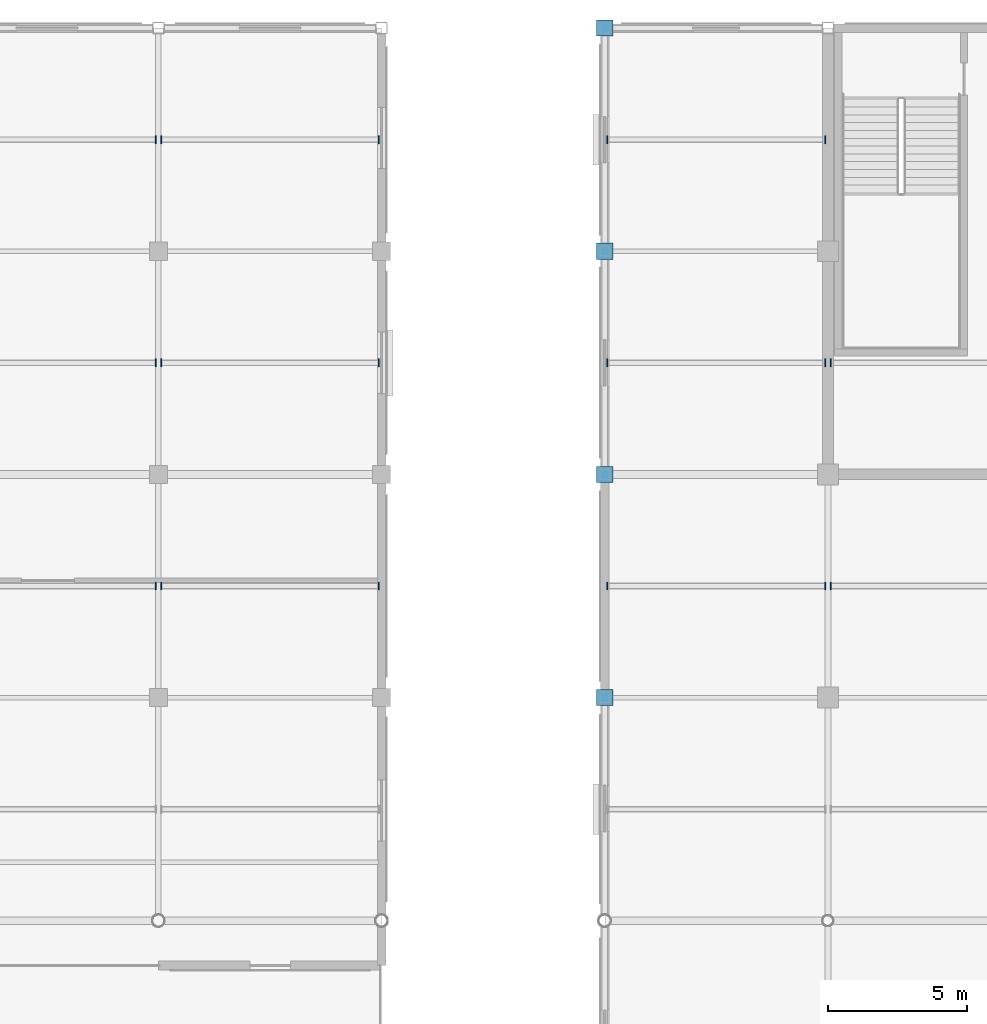
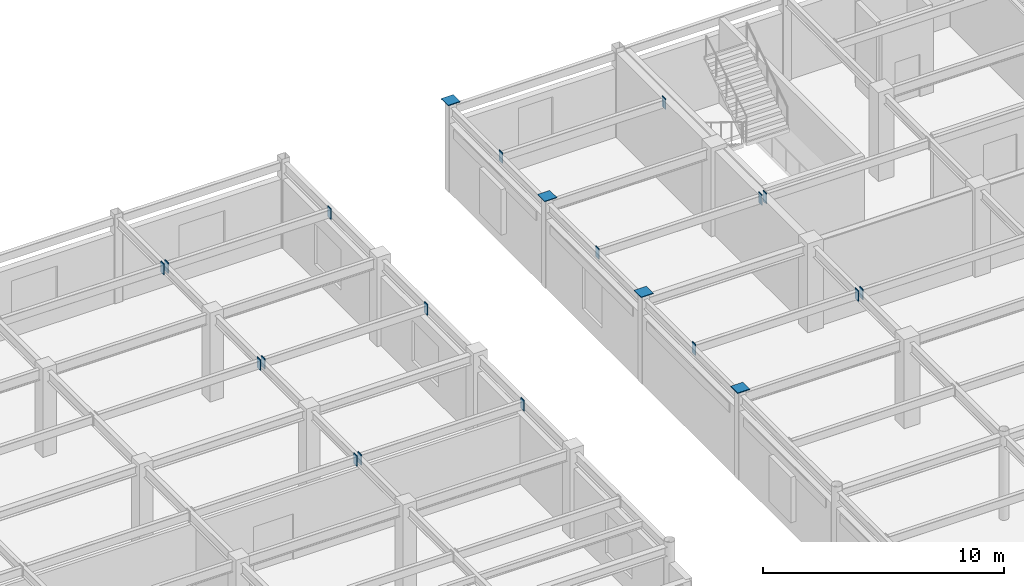
# One storey, part 78 of 93: 21 discrete accessories.
"""IFC4 building model written with IfcOpenShell, lengths in metres."""

from ifc_helpers import new_model, si_unit, direction, frame, origin, origin_2d, place, context, subcontext, project, spatial, rectangle, extrude, material, layer, layer_set, type_object, element, save


model = new_model("IFC4")

# Units and contexts
model_context = context("Model", 3, precision=1e-05, world=origin(), true_north=direction((0.0, 1.0)))
body_context = subcontext(model_context, "Body", "Model", "MODEL_VIEW")
ifc_project = project(units=[si_unit("LENGTHUNIT", "METRE"), si_unit("AREAUNIT", "SQUARE_METRE"), si_unit("VOLUMEUNIT", "CUBIC_METRE"), si_unit("PLANEANGLEUNIT", "RADIAN"), si_unit("MASSUNIT", "GRAM", prefix="KILO")], contexts=[model_context])

# Site, building, storey
site_placement = place(None, origin())
site = spatial("IfcSite", under=ifc_project, at=site_placement, CompositionType="ELEMENT")
building_placement = place(site_placement, origin())
building = spatial("IfcBuilding", under=site, at=building_placement, Name="Solmirada Galleria", CompositionType="ELEMENT")
storey_placement = place(building_placement, frame((0.0, 0.0, 14.89990234375)))
storey = spatial("IfcBuildingStorey", under=building, at=storey_placement, Name="L03", CompositionType="ELEMENT", Elevation=14.89990234375)

# Discrete accessories
ifc_material = material(Name="Steel S355 / ASTM A572 Grade 50", Category="steel")
ifc_layer = layer(ifc_material, 0.031982421875)
ifc_layer_set = layer_set([ifc_layer], Name="Steel S355 / ASTM A572 Grade 50")
discrete_accessory_type = type_object("IfcDiscreteAccessoryType", Name="ACC-COL-CAP", PredefinedType="BRACKET", material=ifc_layer_set)
for number, where, z_axis, x_axis, name in (
    (1, (120.0, 96.0, 4.494140625), (0.0, 0.0, 1.0), (1.0, 0.0, 0.0), "Hollow column cap plate L03-0987"),
    (2, (120.0, 104.0, 4.494140625), (0.0, 0.0, 1.0), (1.0, 0.0, 0.0), "Hollow column cap plate L03-0992"),
    (3, (120.0, 112.0, 4.494140625), (0.0, 0.0, 1.0), (1.0, 0.0, 0.0), "Hollow column cap plate L03-0997"),
    (4, (120.0, 120.0, 4.494140625), (0.0, 0.0, 1.0), (1.0, 0.0, 0.0), "Hollow column cap plate L03-1002"),
):
    element("IfcDiscreteAccessory", number, at=place(storey_placement, frame(where, z_axis=z_axis, x_axis=x_axis)), inside=storey, type_object=discrete_accessory_type, Name=name, PredefinedType="BRACKET", context=body_context, shape_type="SweptSolid", body=[
        extrude(rectangle(XDim=0.580078125, YDim=0.580078125, at=origin_2d()), origin(), (0.0, 0.0, 1.0), 0.035888671875),
    ])
for number, where, z_axis, x_axis, name in (
    (5, (103.903076171875, 100.0, 3.8271484375), (0.0, 0.0, 1.0), (1.0, 0.0, 0.0), "Hollow joist end plate L04-13-13-R"),
    (6, (103.903076171875, 108.0, 3.8271484375), (0.0, 0.0, 1.0), (1.0, 0.0, 0.0), "Hollow joist end plate L04-13-14-R"),
    (7, (103.903076171875, 116.0, 3.8271484375), (0.0, 0.0, 1.0), (1.0, 0.0, 0.0), "Hollow joist end plate L04-13-15-R"),
    (8, (104.096923828125, 100.0, 3.8271484375), (0.0, 0.0, 1.0), (1.0, 0.0, 0.0), "Hollow joist end plate L04-14-13-L"),
    (9, (111.89501953125, 100.0, 3.8271484375), (0.0, 0.0, 1.0), (1.0, 0.0, 0.0), "Hollow joist end plate L04-14-13-R"),
    (10, (104.096923828125, 108.0, 3.8271484375), (0.0, 0.0, 1.0), (1.0, 0.0, 0.0), "Hollow joist end plate L04-14-14-L"),
    (11, (111.89501953125, 108.0, 3.8271484375), (0.0, 0.0, 1.0), (1.0, 0.0, 0.0), "Hollow joist end plate L04-14-14-R"),
    (12, (104.096923828125, 116.0, 3.8271484375), (0.0, 0.0, 1.0), (1.0, 0.0, 0.0), "Hollow joist end plate L04-14-15-L"),
    (13, (111.89501953125, 116.0, 3.8271484375), (0.0, 0.0, 1.0), (1.0, 0.0, 0.0), "Hollow joist end plate L04-14-15-R"),
    (14, (120.096923828125, 100.0, 3.787109375), (0.0, 0.0, 1.0), (1.0, 0.0, 0.0), "Hollow joist end plate L04-16-13-L"),
    (15, (127.89501953125, 100.0, 3.787109375), (0.0, 0.0, 1.0), (1.0, 0.0, 0.0), "Hollow joist end plate L04-16-13-R"),
    (16, (120.096923828125, 108.0, 3.787109375), (0.0, 0.0, 1.0), (1.0, 0.0, 0.0), "Hollow joist end plate L04-16-14-L"),
    (17, (127.89501953125, 108.0, 3.787109375), (0.0, 0.0, 1.0), (1.0, 0.0, 0.0), "Hollow joist end plate L04-16-14-R"),
    (18, (120.096923828125, 116.0, 3.787109375), (0.0, 0.0, 1.0), (1.0, 0.0, 0.0), "Hollow joist end plate L04-16-15-L"),
    (19, (127.89501953125, 116.0, 3.787109375), (0.0, 0.0, 1.0), (1.0, 0.0, 0.0), "Hollow joist end plate L04-16-15-R"),
    (20, (128.10498046875, 100.0, 3.787109375), (0.0, 0.0, 1.0), (1.0, 0.0, 0.0), "Hollow joist end plate L04-17-13-L"),
    (21, (128.10498046875, 108.0, 3.787109375), (0.0, 0.0, 1.0), (1.0, 0.0, 0.0), "Hollow joist end plate L04-17-14-L"),
):
    element("IfcDiscreteAccessory", number, at=place(storey_placement, frame(where, z_axis=z_axis, x_axis=x_axis)), inside=storey, type_object=discrete_accessory_type, Name=name, PredefinedType="BRACKET", context=body_context, shape_type="SweptSolid", body=[
        extrude(rectangle(XDim=0.035888671875, YDim=0.280029296875, at=origin_2d()), origin(), (0.0, 0.0, 1.0), 0.5400390625),
    ])

save(model, "model.ifc")
